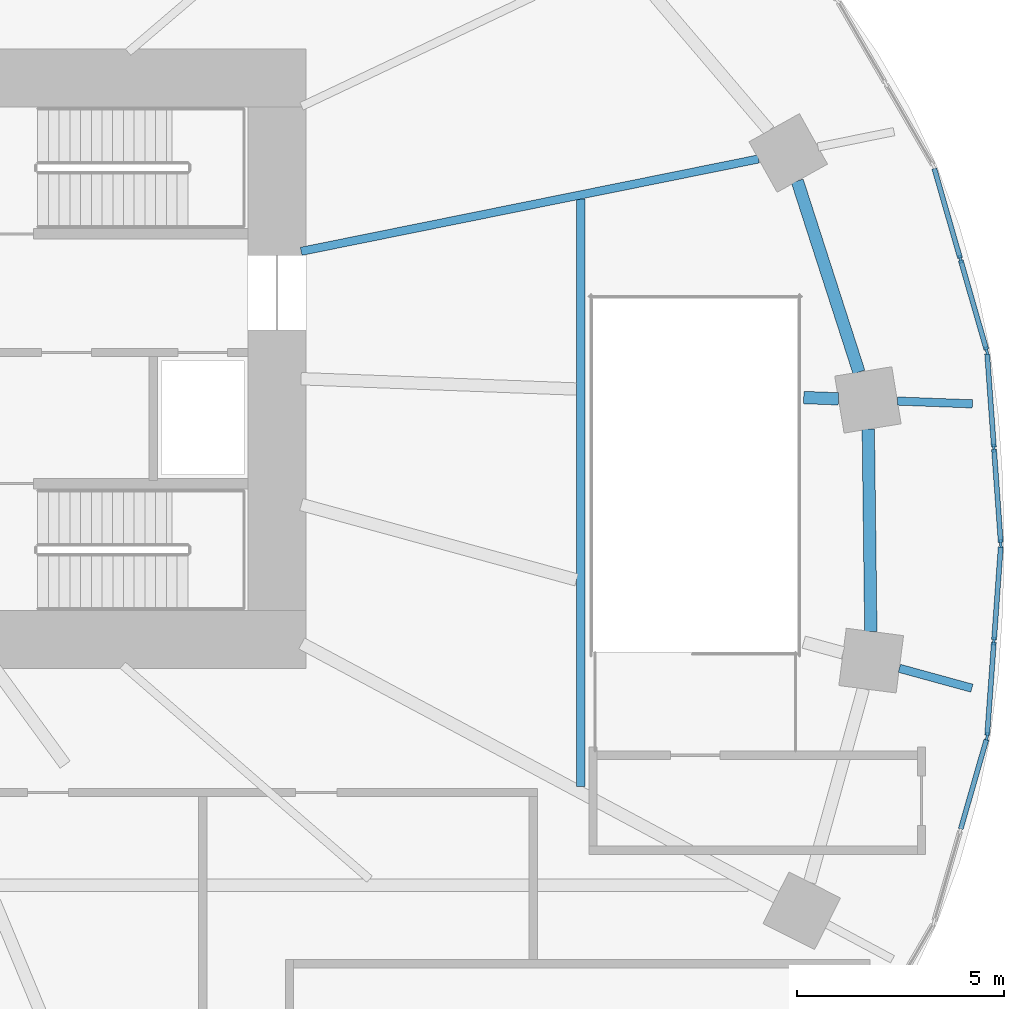
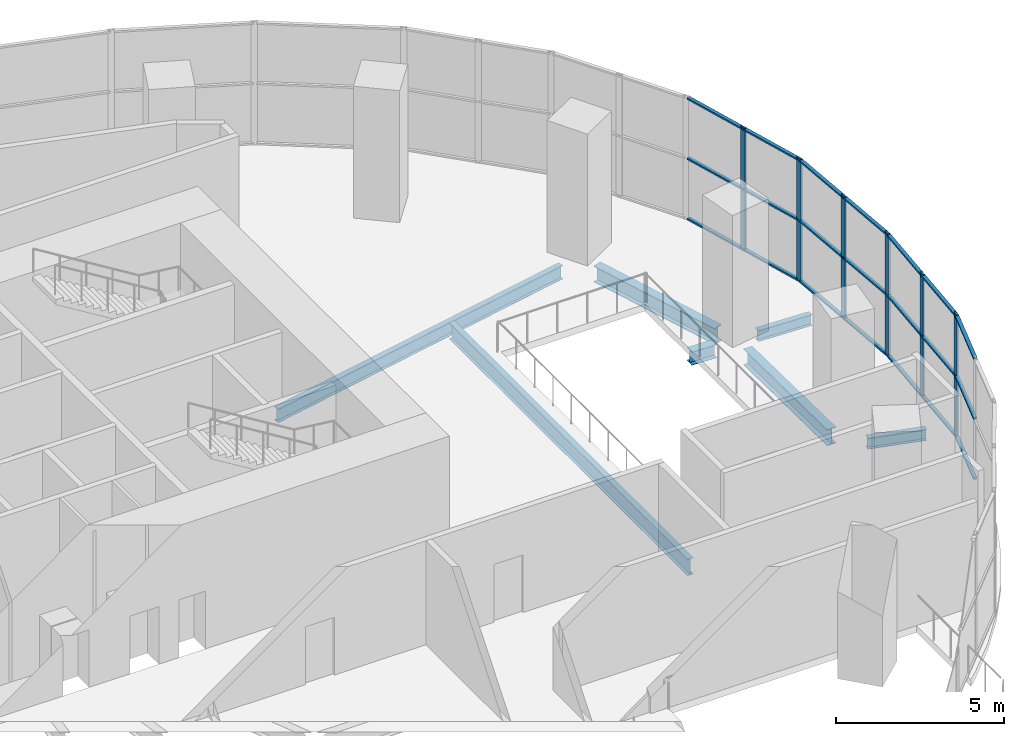
# One storey, part 6 of 17: 27 members, 7 beams, 4 elements without a shape of their own.
"""IFC4 building model written with IfcOpenShell, lengths in metres."""

import ifcopenshell
import ifcopenshell.guid

model = None  # the IFC model being written
_history = None  # IfcOwnerHistory: only IFC2X3 demands one
_inside = {}  # id of a spatial element -> (the spatial element, [elements in it])
_under = {}  # id of a project, library or spatial element -> (it, [spatial elements below it])
_declared = {}  # id of a project -> (the project, [libraries it declares])
_typed = {}  # id of a type object -> (the type object, [elements of that type])
_made_of = {}  # id of a material, layer set ... -> (it, [elements and type objects made of it])


def new_model(schema):
    """Start an empty IFC model of exactly this schema.

    Asked for "IFC4X3", IfcOpenShell would pick the latest addendum, in which some entities
    have other attributes; the version numbers below select the first issue.
    IFC2X3 requires an IfcOwnerHistory on every rooted entity: one is made here for all.
    """
    global model, _history
    if schema == "IFC4X3":
        model = ifcopenshell.file(schema_version=(4, 3, 0, 0))
    else:
        model = ifcopenshell.file(schema=schema)
    _inside.clear()
    _under.clear()
    _declared.clear()
    _typed.clear()
    _made_of.clear()
    _history = None
    if model.schema == "IFC2X3":
        org = make("IfcOrganization", Name="unknown")
        user = make(
            "IfcPersonAndOrganization",
            ThePerson=make("IfcPerson", FamilyName="unknown"),
            TheOrganization=org,
        )
        app = make(
            "IfcApplication",
            ApplicationDeveloper=org,
            Version="unknown",
            ApplicationFullName="unknown",
            ApplicationIdentifier="unknown",
        )
        _history = make(
            "IfcOwnerHistory",
            OwningUser=user,
            OwningApplication=app,
            ChangeAction="ADDED",
            CreationDate=0,
        )
    return model


def make(cls, **values):
    """One entity of the class cls with the attributes given. An attribute that is None is left unset."""
    return model.create_entity(
        cls, **{name: value for name, value in values.items() if value is not None}
    )


def rooted(cls, **values):
    """An entity with a GlobalId (a new one), such as an element, a storey or a relation."""
    return make(cls, GlobalId=ifcopenshell.guid.new(), OwnerHistory=_history, **values)


def si_unit(unit_type, name, prefix=None):
    """IfcSIUnit, for example si_unit("LENGTHUNIT", "METRE", prefix="MILLI")."""
    return make("IfcSIUnit", UnitType=unit_type, Prefix=prefix, Name=name)


def assignment(units):
    """IfcUnitAssignment: the units of a project."""
    return None if units is None else make("IfcUnitAssignment", Units=units)


def point(xyz):
    """IfcCartesianPoint."""
    return None if xyz is None else make("IfcCartesianPoint", Coordinates=xyz)


def direction(xyz):
    """IfcDirection."""
    return None if xyz is None else make("IfcDirection", DirectionRatios=xyz)


def frame(location, z_axis=None, x_axis=None):
    """IfcAxis2Placement3D, a coordinate frame: its origin and axes. An axis left out is left unset."""
    return make(
        "IfcAxis2Placement3D",
        Location=point(location),
        Axis=direction(z_axis),
        RefDirection=direction(x_axis),
    )


def frame_2d(location, x_axis=None):
    """IfcAxis2Placement2D, a coordinate frame in the plane: its origin and x axis."""
    return make(
        "IfcAxis2Placement2D", Location=point(location), RefDirection=direction(x_axis)
    )


def origin():
    """The frame at (0, 0, 0) with its axes left unset."""
    return frame((0.0, 0.0, 0.0))


def origin_2d():
    """The frame at (0, 0) in the plane with its x axis left unset."""
    return frame_2d((0.0, 0.0))


def place(relative_to, where):
    """IfcLocalPlacement: puts the frame where relative to a parent placement (None: the world)."""
    return make(
        "IfcLocalPlacement", PlacementRelTo=relative_to, RelativePlacement=where
    )


def context(
    kind, dimensions, precision=None, world=None, true_north=None, identifier=None
):
    """IfcGeometricRepresentationContext, for example the 3D "Model" context."""
    return make(
        "IfcGeometricRepresentationContext",
        ContextIdentifier=identifier,
        ContextType=kind,
        CoordinateSpaceDimension=dimensions,
        Precision=precision,
        WorldCoordinateSystem=world,
        TrueNorth=true_north,
    )


def subcontext(parent, identifier, kind, view, scale=None):
    """IfcGeometricRepresentationSubContext, for example "Body" below "Model"."""
    return make(
        "IfcGeometricRepresentationSubContext",
        ContextIdentifier=identifier,
        ContextType=kind,
        ParentContext=parent,
        TargetScale=scale,
        TargetView=view,
    )


def project(units=None, contexts=None):
    """IfcProject with its units and contexts."""
    return rooted(
        "IfcProject",
        Name="project",
        RepresentationContexts=contexts,
        UnitsInContext=assignment(units),
    )


def spatial(cls, under=None, at=None, **own):
    """A site, building, storey or space (cls), placed at a placement, below another one or the project."""
    s = rooted(cls, ObjectPlacement=at, **own)
    if under is not None:
        _under.setdefault(under.id(), (under, []))[1].append(s)
    return s


def profile(cls, at=None, kind="AREA", **sizes):
    """A parametric profile (cls). Its sizes go by their IFC names, for example OverallWidth=200.0."""
    return make(cls, ProfileType=kind, Position=at, **sizes)


def rectangle(**sizes):
    """IfcRectangleProfileDef."""
    return profile("IfcRectangleProfileDef", **sizes)


def i_section(**sizes):
    """IfcIShapeProfileDef."""
    return profile("IfcIShapeProfileDef", **sizes)


def extrude(swept, where, along, depth):
    """IfcExtrudedAreaSolid: the profile swept, set in the frame where, extruded along a direction by depth."""
    return make(
        "IfcExtrudedAreaSolid",
        SweptArea=swept,
        Position=where,
        ExtrudedDirection=direction(along),
        Depth=depth,
    )


def shape(context_of_items, identifier, shape_type, items):
    """IfcShapeRepresentation: the items that make up one representation, for example the "Body"."""
    return make(
        "IfcShapeRepresentation",
        ContextOfItems=context_of_items,
        RepresentationIdentifier=identifier,
        RepresentationType=shape_type,
        Items=items,
    )


def material(Name=None, Category=None):
    """IfcMaterial."""
    return make("IfcMaterial", Name=Name, Category=Category)


def material_profile(
    of_material, cross_section, Name=None, Category=None, Priority=None
):
    """IfcMaterialProfile: a cross section and its material."""
    return make(
        "IfcMaterialProfile",
        Name=Name,
        Material=of_material,
        Profile=cross_section,
        Priority=Priority,
        Category=Category,
    )


def profile_set(profiles, Name=None, composite=None):
    """IfcMaterialProfileSet."""
    return make(
        "IfcMaterialProfileSet",
        Name=Name,
        MaterialProfiles=profiles,
        CompositeProfile=composite,
    )


def made_of(thing, what):
    """Note that an element or type object is made of a material, layer set ...; save() writes the relation."""
    if what is not None:
        _made_of.setdefault(what.id(), (what, []))[1].append(thing)
    return thing


def type_object(cls, material=None, **own):
    """A type object (cls), such as IfcWallType, which elements share."""
    return made_of(rooted(cls, **own), material)


def element(
    cls,
    number,
    at=None,
    inside=None,
    cuts=None,
    type_object=None,
    material=None,
    context=None,
    identifier="Body",
    shape_type=None,
    held_by="IfcProductDefinitionShape",
    body=None,
    shapes=None,
    **own,
):
    """One element of the class cls, such as IfcWall. Its Tag is "e" and its number.

    at: its placement. inside: the storey or other place that contains it. cuts: it is an
    opening in that element (IfcRelVoidsElement). A single representation is given by context,
    identifier, shape_type and body (its items); several are given by shapes. held_by: the class
    of the entity that holds the representations. save() writes the other relations.
    """
    e = rooted(cls, Tag="e%d" % number, ObjectPlacement=at, **own)
    if body is not None:
        shapes = [shape(context, identifier, shape_type, body)]
    if shapes is not None:
        e.Representation = make(held_by, Representations=shapes)
    if inside is not None:
        _inside.setdefault(inside.id(), (inside, []))[1].append(e)
    if cuts is not None:
        rooted(
            "IfcRelVoidsElement", RelatingBuildingElement=cuts, RelatedOpeningElement=e
        )
    if type_object is not None:
        _typed.setdefault(type_object.id(), (type_object, []))[1].append(e)
    return made_of(e, material)


def aggregate(whole, parts):
    """IfcRelAggregates: a whole, such as a stair, and the parts it consists of."""
    return rooted("IfcRelAggregates", RelatingObject=whole, RelatedObjects=parts)


def save(model, path):
    """Write the relations noted so far, then the file.

    IfcRelAggregates (storeys below a building ...), IfcRelContainedInSpatialStructure (elements
    in a storey), IfcRelDefinesByType, IfcRelAssociatesMaterial and IfcRelDeclares: one each for
    every whole, place, type object, material and project.
    """
    for whole, parts in _under.values():
        aggregate(whole, parts)
    for where, things in _inside.values():
        rooted(
            "IfcRelContainedInSpatialStructure",
            RelatedElements=things,
            RelatingStructure=where,
        )
    for kind, things in _typed.values():
        rooted("IfcRelDefinesByType", RelatedObjects=things, RelatingType=kind)
    for what, things in _made_of.values():
        rooted("IfcRelAssociatesMaterial", RelatedObjects=things, RelatingMaterial=what)
    for by, libraries in _declared.values():
        rooted("IfcRelDeclares", RelatingContext=by, RelatedDefinitions=libraries)
    model.write(path)


model = new_model("IFC4")

# Units and contexts
model_context = context("Model", 3, precision=1e-05, world=origin(), true_north=direction((0.0, 1.0)))
body_context = subcontext(model_context, "Body", "Model", "MODEL_VIEW")
ifc_project = project(units=[si_unit("LENGTHUNIT", "METRE"), si_unit("AREAUNIT", "SQUARE_METRE"), si_unit("VOLUMEUNIT", "CUBIC_METRE"), si_unit("PLANEANGLEUNIT", "RADIAN"), si_unit("MASSUNIT", "GRAM", prefix="KILO")], contexts=[model_context])

# Site, building, storey
site_placement = place(None, origin())
site = spatial("IfcSite", under=ifc_project, at=site_placement, CompositionType="ELEMENT")
building_placement = place(site_placement, origin())
building = spatial("IfcBuilding", under=site, at=building_placement, Name="Rubra Terraces Tower", CompositionType="ELEMENT")
storey_placement = place(building_placement, frame((0.0, 0.0, 28.199951171875)))
storey = spatial("IfcBuildingStorey", under=building, at=storey_placement, Name="L04", CompositionType="ELEMENT", Elevation=28.199951171875)

# Beams
ifc_material_1 = material(Name="Steel Q355B", Category="steel")
ifc_material_profile_1 = material_profile(ifc_material_1, i_section(OverallWidth=0.199951171875, OverallDepth=0.39990234375, WebThickness=0.008056640625, FlangeThickness=0.012939453125, at=origin_2d()), Name="HN 400x200x8x13")
ifc_profile_set_1 = profile_set([ifc_material_profile_1], Name="Steel Q355B")
beam_type_1 = type_object("IfcBeamType", Name="CANTILEVER BEAM HN 400x200x8x13", PredefinedType="BEAM", material=ifc_profile_set_1)
beam_1_placement = place(storey_placement, frame((27.319091796875, 3.47607421875, -0.449951171875), z_axis=(0.999296482656, -0.037503863151, 0.0), x_axis=(0.037503863151, 0.999296482656, 0.0)))
element("IfcBeam", 1, at=beam_1_placement, inside=storey, type_object=beam_type_1, Name="beam-L04-cant-01", PredefinedType="BEAM", context=body_context, shape_type="SweptSolid", body=[
    extrude(i_section(OverallWidth=0.199951171875, OverallDepth=0.39990234375, WebThickness=0.008056640625, FlangeThickness=0.012939453125, at=origin_2d()), origin(), (0.0, 0.0, 1.0), 1.816162109375),
])
beam_2_placement = place(storey_placement, frame((27.365966796875, -2.9951171875, -0.449951171875), z_axis=(0.964481687863, -0.264149718489, 0.0), x_axis=(0.264149718489, 0.964481687863, 0.0)))
element("IfcBeam", 2, at=beam_2_placement, inside=storey, type_object=beam_type_1, Name="beam-L04-cant-24", PredefinedType="BEAM", context=body_context, shape_type="SweptSolid", body=[
    extrude(i_section(OverallWidth=0.199951171875, OverallDepth=0.39990234375, WebThickness=0.008056640625, FlangeThickness=0.012939453125, at=origin_2d()), origin(), (0.0, 0.0, 1.0), 1.82080078125),
])
ifc_material_profile_2 = material_profile(ifc_material_1, i_section(OverallWidth=0.300048828125, OverallDepth=0.48193359375, WebThickness=0.010986328125, FlangeThickness=0.014892578125, at=origin_2d()), Name="HM 482x300x11x15")
ifc_profile_set_2 = profile_set([ifc_material_profile_2], Name="Steel Q355B")
beam_type_2 = type_object("IfcBeamType", Name="FLOOR BEAM HM 482x300x11x15", PredefinedType="BEAM", material=ifc_profile_set_2)
beam_3_placement = place(storey_placement, frame((25.89111328125, 3.530029296875, -0.490966796875), z_axis=(-0.999321176912, 0.036839996943, 0.0), x_axis=(-0.036839996943, -0.999321176912, 0.0)))
element("IfcBeam", 3, at=beam_3_placement, inside=storey, type_object=beam_type_2, Name="beam-L04-floor-01-a", PredefinedType="BEAM", context=body_context, shape_type="SweptSolid", body=[
    extrude(i_section(OverallWidth=0.300048828125, OverallDepth=0.48193359375, WebThickness=0.010986328125, FlangeThickness=0.014892578125, at=origin_2d()), origin(), (0.0, 0.0, 1.0), 0.841552734375),
])
ifc_material_profile_3 = material_profile(ifc_material_1, i_section(OverallWidth=0.198974609375, OverallDepth=0.49609375, WebThickness=0.009033203125, FlangeThickness=0.013916015625, at=origin_2d()), Name="HN 496x199x9x14")
ifc_profile_set_3 = profile_set([ifc_material_profile_3], Name="Steel Q355B")
beam_type_3 = type_object("IfcBeamType", Name="FLOOR BEAM HN 496x199x9x14", PredefinedType="BEAM", material=ifc_profile_set_3)
beam_4_placement = place(storey_placement, frame((23.9560546875, 9.337890625, -0.498046875), z_axis=(-0.980204035637, -0.197990021264, 0.0), x_axis=(0.197990021264, -0.980204035637, 0.0)))
element("IfcBeam", 4, at=beam_4_placement, inside=storey, type_object=beam_type_3, Name="beam-L04-floor-02", PredefinedType="BEAM", context=body_context, shape_type="SweptSolid", body=[
    extrude(i_section(OverallWidth=0.198974609375, OverallDepth=0.49609375, WebThickness=0.009033203125, FlangeThickness=0.013916015625, at=origin_2d()), origin(), (0.0, 0.0, 1.0), 11.297607421875),
])

# Curtain wall, members
ifc_material_2 = material(Name="Aluminium and glass", Category="aluminium")
curtain_wall_type = type_object("IfcCurtainWallType", Name="Curtain wall Podium glazing", PredefinedType="NOTDEFINED", material=ifc_material_2)
curtain_wall_1_placement = place(storey_placement, origin())
curtain_wall_1 = element("IfcCurtainWall", 5, at=curtain_wall_1_placement, inside=storey, type_object=curtain_wall_type, Name="L04 glazing bay 1", PredefinedType="NOTDEFINED")
ifc_material_3 = material(Name="Aluminium, anodised dark grey", Category="aluminium")
ifc_material_profile_4 = material_profile(ifc_material_3, rectangle(XDim=0.06005859375, YDim=0.199951171875, at=origin_2d()), Name="AL 60x200")
ifc_profile_set_4 = profile_set([ifc_material_profile_4], Name="Aluminium, anodised dark grey")
member_type_1 = type_object("IfcMemberType", Name="Podium glazing mullion 60 x 200", PredefinedType="MULLION", material=ifc_profile_set_4)
member_1_placement = place(storey_placement, frame((29.822998046875, 0.0244140625, 0.0), z_axis=(0.0, 0.0, 1.0), x_axis=(-0.997419621076, -0.071792057306, 0.0)))
member_1 = element("IfcMember", 6, at=member_1_placement, type_object=member_type_1, Name="CW1 mullion 1", PredefinedType="MULLION", context=body_context, shape_type="SweptSolid", body=[
    extrude(rectangle(XDim=0.06005859375, YDim=0.199951171875, at=origin_2d()), origin(), (0.0, 0.0, 1.0), 4.5),
])
member_2_placement = place(storey_placement, frame((29.65673828125, 2.335693359375, 0.0), z_axis=(0.0, 0.0, 1.0), x_axis=(-0.997419621076, -0.071792057306, 0.0)))
member_2 = element("IfcMember", 7, at=member_2_placement, type_object=member_type_1, Name="CW1 mullion 2", PredefinedType="MULLION", context=body_context, shape_type="SweptSolid", body=[
    extrude(rectangle(XDim=0.06005859375, YDim=0.199951171875, at=origin_2d()), origin(), (0.0, 0.0, 1.0), 4.5),
])

curtain_wall_2_placement = place(storey_placement, origin())
curtain_wall_2 = element("IfcCurtainWall", 8, at=curtain_wall_2_placement, inside=storey, type_object=curtain_wall_type, Name="L04 glazing bay 2", PredefinedType="NOTDEFINED")
member_3_placement = place(storey_placement, frame((29.482666015625, 4.690185546875, 0.0), z_axis=(0.0, 0.0, 1.0), x_axis=(-0.961047339404, -0.276383811798, 0.0)))
member_3 = element("IfcMember", 9, at=member_3_placement, type_object=member_type_1, Name="CW1 mullion 1", PredefinedType="MULLION", context=body_context, shape_type="SweptSolid", body=[
    extrude(rectangle(XDim=0.06005859375, YDim=0.199951171875, at=origin_2d()), origin(), (0.0, 0.0, 1.0), 4.5),
])
member_4_placement = place(storey_placement, frame((28.843505859375, 6.912841796875, 0.0), z_axis=(0.0, 0.0, 1.0), x_axis=(-0.961047339404, -0.276383811798, 0.0)))
member_4 = element("IfcMember", 10, at=member_4_placement, type_object=member_type_1, Name="CW1 mullion 2", PredefinedType="MULLION", context=body_context, shape_type="SweptSolid", body=[
    extrude(rectangle(XDim=0.06005859375, YDim=0.199951171875, at=origin_2d()), origin(), (0.0, 0.0, 1.0), 4.5),
])

curtain_wall_3_placement = place(storey_placement, origin())
curtain_wall_3 = element("IfcCurtainWall", 11, at=curtain_wall_3_placement, inside=storey, type_object=curtain_wall_type, Name="L04 glazing bay 40", PredefinedType="NOTDEFINED")
member_5_placement = place(storey_placement, frame((29.490234375, -4.646728515625, 0.0), z_axis=(0.0, 0.0, 1.0), x_axis=(-0.997419621076, 0.071792057306, 0.0)))
member_5 = element("IfcMember", 12, at=member_5_placement, type_object=member_type_1, Name="CW1 mullion 1", PredefinedType="MULLION", context=body_context, shape_type="SweptSolid", body=[
    extrude(rectangle(XDim=0.06005859375, YDim=0.199951171875, at=origin_2d()), origin(), (0.0, 0.0, 1.0), 4.5),
])
member_6_placement = place(storey_placement, frame((29.65673828125, -2.335693359375, 0.0), z_axis=(0.0, 0.0, 1.0), x_axis=(-0.997419621076, 0.071792057306, 0.0)))
member_6 = element("IfcMember", 13, at=member_6_placement, type_object=member_type_1, Name="CW1 mullion 2", PredefinedType="MULLION", context=body_context, shape_type="SweptSolid", body=[
    extrude(rectangle(XDim=0.06005859375, YDim=0.199951171875, at=origin_2d()), origin(), (0.0, 0.0, 1.0), 4.5),
])

# Member
ifc_material_profile_5 = material_profile(ifc_material_3, rectangle(XDim=0.1201171875, YDim=0.06005859375, at=origin_2d()), Name="AL 120x60")
ifc_profile_set_5 = profile_set([ifc_material_profile_5], Name="Aluminium, anodised dark grey")
member_type_2 = type_object("IfcMemberType", Name="Podium glazing transom 120 x 60", PredefinedType="USERDEFINED", material=ifc_profile_set_5)
member_7_placement = place(storey_placement, frame((29.82080078125, 0.054443359375, 0.06005859375), z_axis=(-0.071715956886, 0.997425095698, 0.0), x_axis=(-0.997425095698, -0.071715956886, 0.0)))
member_7 = element("IfcMember", 14, at=member_7_placement, type_object=member_type_2, Name="CW1 transom 1.1", ObjectType="TRANSOM", PredefinedType="USERDEFINED", context=body_context, shape_type="SweptSolid", body=[
    extrude(rectangle(XDim=0.1201171875, YDim=0.06005859375, at=origin_2d()), origin(), (0.0, 0.0, 1.0), 2.257080078125),
])

member_8_placement = place(storey_placement, frame((29.82080078125, 0.054443359375, 2.25), z_axis=(-0.071715956886, 0.997425095698, 0.0), x_axis=(-0.997425095698, -0.071715956886, 0.0)))
member_8 = element("IfcMember", 15, at=member_8_placement, type_object=member_type_2, Name="CW1 transom 1.2", ObjectType="TRANSOM", PredefinedType="USERDEFINED", context=body_context, shape_type="SweptSolid", body=[
    extrude(rectangle(XDim=0.1201171875, YDim=0.06005859375, at=origin_2d()), origin(), (0.0, 0.0, 1.0), 2.257080078125),
])

member_9_placement = place(storey_placement, frame((29.82080078125, 0.054443359375, 4.43994140625), z_axis=(-0.071715956886, 0.997425095698, 0.0), x_axis=(-0.997425095698, -0.071715956886, 0.0)))
member_9 = element("IfcMember", 16, at=member_9_placement, type_object=member_type_2, Name="CW1 transom 1.3", ObjectType="TRANSOM", PredefinedType="USERDEFINED", context=body_context, shape_type="SweptSolid", body=[
    extrude(rectangle(XDim=0.1201171875, YDim=0.06005859375, at=origin_2d()), origin(), (0.0, 0.0, 1.0), 2.257080078125),
])

member_10_placement = place(storey_placement, frame((29.654541015625, 2.365478515625, 0.06005859375), z_axis=(-0.071823568166, 0.997417352494, 0.0), x_axis=(-0.997417352494, -0.071823568166, 0.0)))
member_10 = element("IfcMember", 17, at=member_10_placement, type_object=member_type_2, Name="CW1 transom 2.1", ObjectType="TRANSOM", PredefinedType="USERDEFINED", context=body_context, shape_type="SweptSolid", body=[
    extrude(rectangle(XDim=0.1201171875, YDim=0.06005859375, at=origin_2d()), origin(), (0.0, 0.0, 1.0), 2.257080078125),
])

member_11_placement = place(storey_placement, frame((29.654541015625, 2.365478515625, 2.25), z_axis=(-0.071823568166, 0.997417352494, 0.0), x_axis=(-0.997417352494, -0.071823568166, 0.0)))
member_11 = element("IfcMember", 18, at=member_11_placement, type_object=member_type_2, Name="CW1 transom 2.2", ObjectType="TRANSOM", PredefinedType="USERDEFINED", context=body_context, shape_type="SweptSolid", body=[
    extrude(rectangle(XDim=0.1201171875, YDim=0.06005859375, at=origin_2d()), origin(), (0.0, 0.0, 1.0), 2.257080078125),
])

member_12_placement = place(storey_placement, frame((29.654541015625, 2.365478515625, 4.43994140625), z_axis=(-0.071823568166, 0.997417352494, 0.0), x_axis=(-0.997417352494, -0.071823568166, 0.0)))
member_12 = element("IfcMember", 19, at=member_12_placement, type_object=member_type_2, Name="CW1 transom 2.3", ObjectType="TRANSOM", PredefinedType="USERDEFINED", context=body_context, shape_type="SweptSolid", body=[
    extrude(rectangle(XDim=0.1201171875, YDim=0.06005859375, at=origin_2d()), origin(), (0.0, 0.0, 1.0), 2.257080078125),
])

aggregate(curtain_wall_1, [member_1, member_2, member_7, member_8, member_9, member_10, member_11, member_12])

member_13_placement = place(storey_placement, frame((29.474365234375, 4.718994140625, 0.06005859375), z_axis=(-0.276352469421, 0.961056352481, 0.0), x_axis=(-0.961056352481, -0.276352469421, 0.0)))
member_13 = element("IfcMember", 20, at=member_13_placement, type_object=member_type_2, Name="CW1 transom 1.1", ObjectType="TRANSOM", PredefinedType="USERDEFINED", context=body_context, shape_type="SweptSolid", body=[
    extrude(rectangle(XDim=0.1201171875, YDim=0.06005859375, at=origin_2d()), origin(), (0.0, 0.0, 1.0), 2.252685546875),
])

member_14_placement = place(storey_placement, frame((29.474365234375, 4.718994140625, 2.25), z_axis=(-0.276352469421, 0.961056352481, 0.0), x_axis=(-0.961056352481, -0.276352469421, 0.0)))
member_14 = element("IfcMember", 21, at=member_14_placement, type_object=member_type_2, Name="CW1 transom 1.2", ObjectType="TRANSOM", PredefinedType="USERDEFINED", context=body_context, shape_type="SweptSolid", body=[
    extrude(rectangle(XDim=0.1201171875, YDim=0.06005859375, at=origin_2d()), origin(), (0.0, 0.0, 1.0), 2.252685546875),
])

member_15_placement = place(storey_placement, frame((29.474365234375, 4.718994140625, 4.43994140625), z_axis=(-0.276352469421, 0.961056352481, 0.0), x_axis=(-0.961056352481, -0.276352469421, 0.0)))
member_15 = element("IfcMember", 22, at=member_15_placement, type_object=member_type_2, Name="CW1 transom 1.3", ObjectType="TRANSOM", PredefinedType="USERDEFINED", context=body_context, shape_type="SweptSolid", body=[
    extrude(rectangle(XDim=0.1201171875, YDim=0.06005859375, at=origin_2d()), origin(), (0.0, 0.0, 1.0), 2.252685546875),
])

member_16_placement = place(storey_placement, frame((28.835205078125, 6.941650390625, 0.06005859375), z_axis=(-0.276452561882, 0.961027565177, 0.0), x_axis=(-0.961027565177, -0.276452561882, 0.0)))
member_16 = element("IfcMember", 23, at=member_16_placement, type_object=member_type_2, Name="CW1 transom 2.1", ObjectType="TRANSOM", PredefinedType="USERDEFINED", context=body_context, shape_type="SweptSolid", body=[
    extrude(rectangle(XDim=0.1201171875, YDim=0.06005859375, at=origin_2d()), origin(), (0.0, 0.0, 1.0), 2.2529296875),
])

member_17_placement = place(storey_placement, frame((28.835205078125, 6.941650390625, 2.25), z_axis=(-0.276452561882, 0.961027565177, 0.0), x_axis=(-0.961027565177, -0.276452561882, 0.0)))
member_17 = element("IfcMember", 24, at=member_17_placement, type_object=member_type_2, Name="CW1 transom 2.2", ObjectType="TRANSOM", PredefinedType="USERDEFINED", context=body_context, shape_type="SweptSolid", body=[
    extrude(rectangle(XDim=0.1201171875, YDim=0.06005859375, at=origin_2d()), origin(), (0.0, 0.0, 1.0), 2.2529296875),
])

member_18_placement = place(storey_placement, frame((28.835205078125, 6.941650390625, 4.43994140625), z_axis=(-0.276452561882, 0.961027565177, 0.0), x_axis=(-0.961027565177, -0.276452561882, 0.0)))
member_18 = element("IfcMember", 25, at=member_18_placement, type_object=member_type_2, Name="CW1 transom 2.3", ObjectType="TRANSOM", PredefinedType="USERDEFINED", context=body_context, shape_type="SweptSolid", body=[
    extrude(rectangle(XDim=0.1201171875, YDim=0.06005859375, at=origin_2d()), origin(), (0.0, 0.0, 1.0), 2.2529296875),
])

aggregate(curtain_wall_2, [member_3, member_4, member_13, member_14, member_15, member_16, member_17, member_18])

# Curtain wall, members
curtain_wall_4_placement = place(storey_placement, origin())
curtain_wall_4 = element("IfcCurtainWall", 26, at=curtain_wall_4_placement, inside=storey, type_object=curtain_wall_type, Name="L04 glazing bay 39", PredefinedType="NOTDEFINED")
member_19_placement = place(storey_placement, frame((28.851806640625, -6.884033203125, 0.06005859375), z_axis=(0.276352469421, 0.961056352481, 0.0), x_axis=(-0.961056352481, 0.276352469421, 0.0)))
member_19 = element("IfcMember", 27, at=member_19_placement, type_object=member_type_2, Name="CW1 transom 2.1", ObjectType="TRANSOM", PredefinedType="USERDEFINED", context=body_context, shape_type="SweptSolid", body=[
    extrude(rectangle(XDim=0.1201171875, YDim=0.06005859375, at=origin_2d()), origin(), (0.0, 0.0, 1.0), 2.252685546875),
])
member_20_placement = place(storey_placement, frame((28.851806640625, -6.884033203125, 2.25), z_axis=(0.276352469421, 0.961056352481, 0.0), x_axis=(-0.961056352481, 0.276352469421, 0.0)))
member_20 = element("IfcMember", 28, at=member_20_placement, type_object=member_type_2, Name="CW1 transom 2.2", ObjectType="TRANSOM", PredefinedType="USERDEFINED", context=body_context, shape_type="SweptSolid", body=[
    extrude(rectangle(XDim=0.1201171875, YDim=0.06005859375, at=origin_2d()), origin(), (0.0, 0.0, 1.0), 2.252685546875),
])
member_21_placement = place(storey_placement, frame((28.851806640625, -6.884033203125, 4.43994140625), z_axis=(0.276352469421, 0.961056352481, 0.0), x_axis=(-0.961056352481, 0.276352469421, 0.0)))
member_21 = element("IfcMember", 29, at=member_21_placement, type_object=member_type_2, Name="CW1 transom 2.3", ObjectType="TRANSOM", PredefinedType="USERDEFINED", context=body_context, shape_type="SweptSolid", body=[
    extrude(rectangle(XDim=0.1201171875, YDim=0.06005859375, at=origin_2d()), origin(), (0.0, 0.0, 1.0), 2.252685546875),
])
aggregate(curtain_wall_4, [member_19, member_20, member_21])

# Member
member_22_placement = place(storey_placement, frame((29.492431640625, -4.61669921875, 0.06005859375), z_axis=(0.071823568166, 0.997417352494, 0.0), x_axis=(-0.997417352494, 0.071823568166, 0.0)))
member_22 = element("IfcMember", 30, at=member_22_placement, type_object=member_type_2, Name="CW1 transom 1.1", ObjectType="TRANSOM", PredefinedType="USERDEFINED", context=body_context, shape_type="SweptSolid", body=[
    extrude(rectangle(XDim=0.1201171875, YDim=0.06005859375, at=origin_2d()), origin(), (0.0, 0.0, 1.0), 2.257080078125),
])

member_23_placement = place(storey_placement, frame((29.492431640625, -4.61669921875, 2.25), z_axis=(0.071823568166, 0.997417352494, 0.0), x_axis=(-0.997417352494, 0.071823568166, 0.0)))
member_23 = element("IfcMember", 31, at=member_23_placement, type_object=member_type_2, Name="CW1 transom 1.2", ObjectType="TRANSOM", PredefinedType="USERDEFINED", context=body_context, shape_type="SweptSolid", body=[
    extrude(rectangle(XDim=0.1201171875, YDim=0.06005859375, at=origin_2d()), origin(), (0.0, 0.0, 1.0), 2.257080078125),
])

member_24_placement = place(storey_placement, frame((29.492431640625, -4.61669921875, 4.43994140625), z_axis=(0.071823568166, 0.997417352494, 0.0), x_axis=(-0.997417352494, 0.071823568166, 0.0)))
member_24 = element("IfcMember", 32, at=member_24_placement, type_object=member_type_2, Name="CW1 transom 1.3", ObjectType="TRANSOM", PredefinedType="USERDEFINED", context=body_context, shape_type="SweptSolid", body=[
    extrude(rectangle(XDim=0.1201171875, YDim=0.06005859375, at=origin_2d()), origin(), (0.0, 0.0, 1.0), 2.257080078125),
])

member_25_placement = place(storey_placement, frame((29.658935546875, -2.3056640625, 0.06005859375), z_axis=(0.071715956886, 0.997425095698, 0.0), x_axis=(-0.997425095698, 0.071715956886, 0.0)))
member_25 = element("IfcMember", 33, at=member_25_placement, type_object=member_type_2, Name="CW1 transom 2.1", ObjectType="TRANSOM", PredefinedType="USERDEFINED", context=body_context, shape_type="SweptSolid", body=[
    extrude(rectangle(XDim=0.1201171875, YDim=0.06005859375, at=origin_2d()), origin(), (0.0, 0.0, 1.0), 2.257080078125),
])

member_26_placement = place(storey_placement, frame((29.658935546875, -2.3056640625, 2.25), z_axis=(0.071715956886, 0.997425095698, 0.0), x_axis=(-0.997425095698, 0.071715956886, 0.0)))
member_26 = element("IfcMember", 34, at=member_26_placement, type_object=member_type_2, Name="CW1 transom 2.2", ObjectType="TRANSOM", PredefinedType="USERDEFINED", context=body_context, shape_type="SweptSolid", body=[
    extrude(rectangle(XDim=0.1201171875, YDim=0.06005859375, at=origin_2d()), origin(), (0.0, 0.0, 1.0), 2.257080078125),
])

member_27_placement = place(storey_placement, frame((29.658935546875, -2.3056640625, 4.43994140625), z_axis=(0.071715956886, 0.997425095698, 0.0), x_axis=(-0.997425095698, 0.071715956886, 0.0)))
member_27 = element("IfcMember", 35, at=member_27_placement, type_object=member_type_2, Name="CW1 transom 2.3", ObjectType="TRANSOM", PredefinedType="USERDEFINED", context=body_context, shape_type="SweptSolid", body=[
    extrude(rectangle(XDim=0.1201171875, YDim=0.06005859375, at=origin_2d()), origin(), (0.0, 0.0, 1.0), 2.257080078125),
])

aggregate(curtain_wall_3, [member_5, member_6, member_22, member_23, member_24, member_25, member_26, member_27])

# Beams
ifc_material_profile_6 = material_profile(ifc_material_1, i_section(OverallWidth=0.300048828125, OverallDepth=0.587890625, WebThickness=0.011962890625, FlangeThickness=0.02001953125, at=origin_2d()), Name="HM 588x300x12x20")
ifc_profile_set_6 = profile_set([ifc_material_profile_6], Name="Steel Q355B")
beam_type_4 = type_object("IfcBeamType", Name="SPANDREL BEAM HM 588x300x12x20", PredefinedType="SPANDREL", material=ifc_profile_set_6)
beam_5_placement = place(storey_placement, frame((26.387939453125, 4.177001953125, -0.5439453125), z_axis=(-0.30706880261, 0.951687317591, 0.0), x_axis=(-0.951687317591, -0.30706880261, 0.0)))
element("IfcBeam", 36, at=beam_5_placement, inside=storey, type_object=beam_type_4, Name="beam-L04-spandrel-01", PredefinedType="SPANDREL", context=body_context, shape_type="SweptSolid", body=[
    extrude(i_section(OverallWidth=0.300048828125, OverallDepth=0.587890625, WebThickness=0.011962890625, FlangeThickness=0.02001953125, at=origin_2d()), origin(), (0.0, 0.0, 1.0), 4.86181640625),
])
beam_6_placement = place(storey_placement, frame((26.675048828125, -2.10107421875, -0.5439453125), z_axis=(-0.012465372298, 0.999922304228, 0.0), x_axis=(-0.999922304228, -0.012465372298, 0.0)))
element("IfcBeam", 37, at=beam_6_placement, inside=storey, type_object=beam_type_4, Name="beam-L04-spandrel-24", PredefinedType="SPANDREL", context=body_context, shape_type="SweptSolid", body=[
    extrude(i_section(OverallWidth=0.300048828125, OverallDepth=0.587890625, WebThickness=0.011962890625, FlangeThickness=0.02001953125, at=origin_2d()), origin(), (0.0, 0.0, 1.0), 4.896484375),
])
ifc_material_profile_7 = material_profile(ifc_material_1, i_section(OverallWidth=0.198974609375, OverallDepth=0.595947265625, WebThickness=0.010009765625, FlangeThickness=0.014892578125, at=origin_2d()), Name="HN 596x199x10x15")
ifc_profile_set_7 = profile_set([ifc_material_profile_7], Name="Steel Q355B")
beam_type_5 = type_object("IfcBeamType", Name="TRIMMER BEAM HN 596x199x10x15", PredefinedType="BEAM", material=ifc_profile_set_7)
beam_7_placement = place(storey_placement, frame((19.64990234375, -5.85400390625, -0.5478515625), z_axis=(0.0, 1.0, 0.0), x_axis=(-1.0, 0.0, 0.0)))
element("IfcBeam", 38, at=beam_7_placement, inside=storey, type_object=beam_type_5, Name="beam-L04-header-2-xlo", PredefinedType="BEAM", context=body_context, shape_type="SweptSolid", body=[
    extrude(i_section(OverallWidth=0.198974609375, OverallDepth=0.595947265625, WebThickness=0.010009765625, FlangeThickness=0.014892578125, at=origin_2d()), origin(), (0.0, 0.0, 1.0), 14.222900390625),
])

save(model, "model.ifc")
